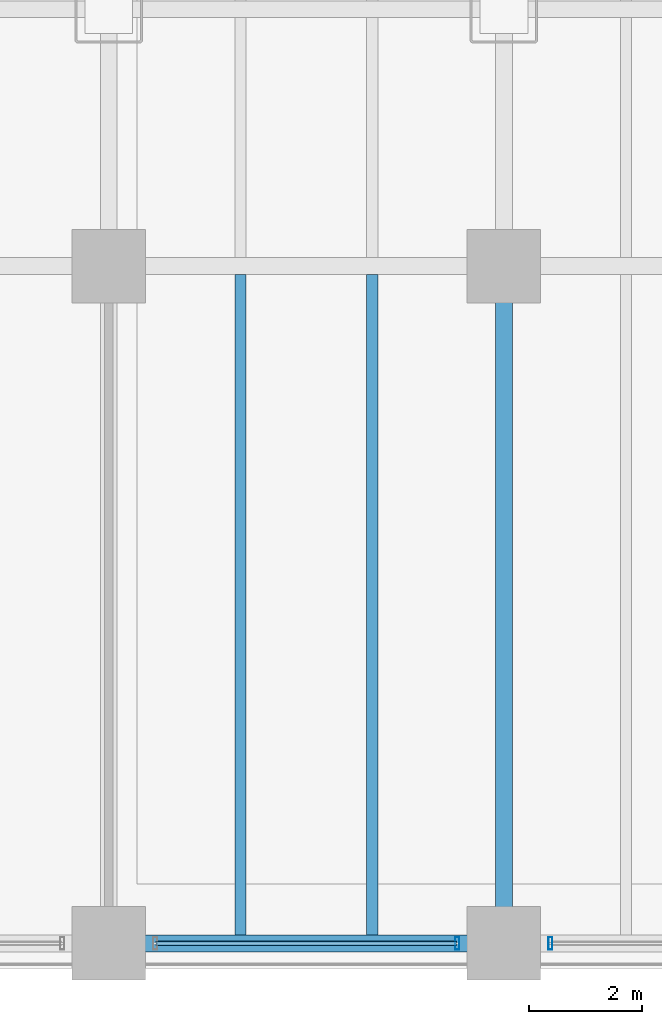
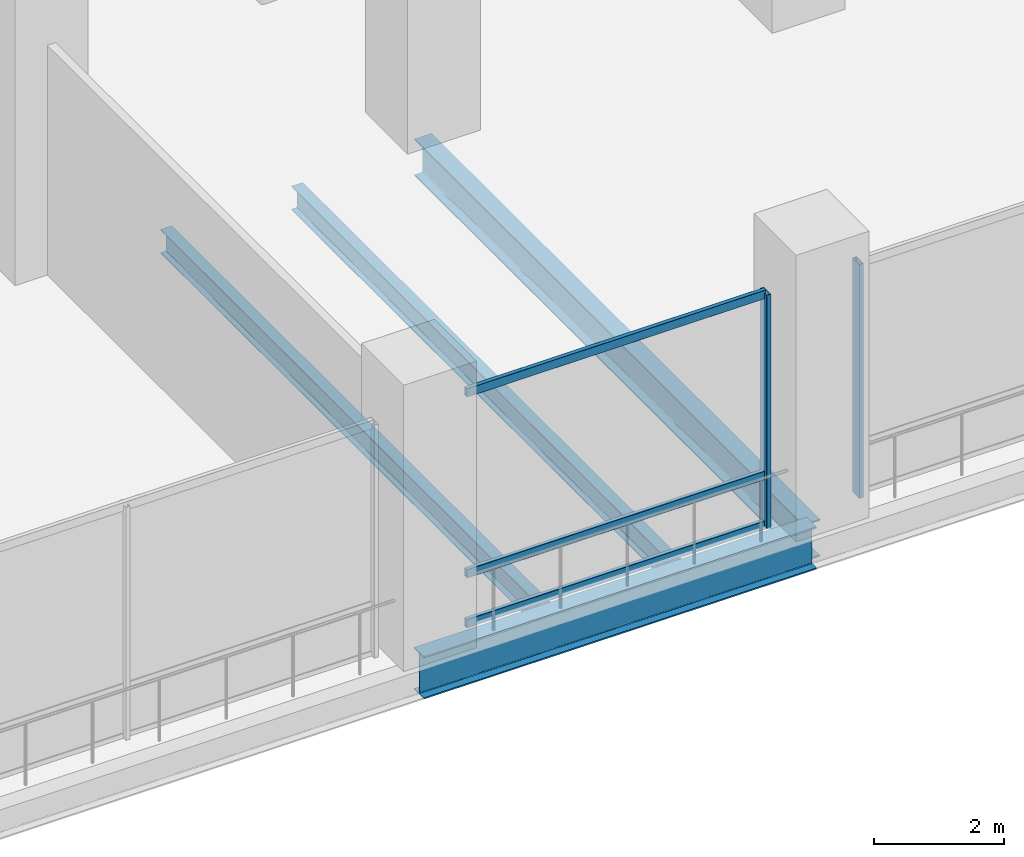
# One storey, part 7 of 31: 5 members, 4 beams, 2 elements without a shape of their own.
"""IFC4 building model written with IfcOpenShell, lengths in metres."""

from ifc_helpers import new_model, si_unit, direction, frame, origin, origin_2d, place, context, subcontext, project, spatial, hollow_rectangle, i_section, extrude, material, material_profile, profile_set, type_object, element, aggregate, save


model = new_model("IFC4")

# Units and contexts
model_context = context("Model", 3, precision=1e-05, world=origin(), true_north=direction((0.0, 1.0)))
body_context = subcontext(model_context, "Body", "Model", "MODEL_VIEW")
ifc_project = project(units=[si_unit("LENGTHUNIT", "METRE"), si_unit("AREAUNIT", "SQUARE_METRE"), si_unit("VOLUMEUNIT", "CUBIC_METRE"), si_unit("PLANEANGLEUNIT", "RADIAN"), si_unit("MASSUNIT", "GRAM", prefix="KILO")], contexts=[model_context])

# Site, building, storey
site_placement = place(None, origin())
site = spatial("IfcSite", under=ifc_project, at=site_placement, CompositionType="ELEMENT")
building_placement = place(site_placement, origin())
building = spatial("IfcBuilding", under=site, at=building_placement, Name="Noeulbin Bourse Tower", CompositionType="ELEMENT")
storey_placement = place(building_placement, frame((0.0, 0.0, 11.199951171875)))
storey = spatial("IfcBuildingStorey", under=building, at=storey_placement, Name="L03", CompositionType="ELEMENT", Elevation=11.199951171875)

# Beams
ifc_material_1 = material(Name="Steel S355", Category="steel")
ifc_material_profile_1 = material_profile(ifc_material_1, i_section(OverallWidth=0.300048828125, OverallDepth=0.699951171875, WebThickness=0.012939453125, FlangeThickness=0.02392578125, FilletRadius=0.02392578125, at=origin_2d()), Name="H-700x300x13x24", Category="LoadBearing")
ifc_profile_set_1 = profile_set([ifc_material_profile_1], Name="Steel S355")
beam_type_1 = type_object("IfcBeamType", Name="BM-GRD-700", PredefinedType="USERDEFINED", material=ifc_profile_set_1)
beam_1_placement = place(storey_placement, frame((31.0, 3.449951171875, -0.599853515625), z_axis=(0.0, 1.0, 0.0), x_axis=(-1.0, 0.0, 0.0)))
element("IfcBeam", 1, at=beam_1_placement, inside=storey, type_object=beam_type_1, Name="Podium Primary Girder NS L03-080", ObjectType="GIRDER", PredefinedType="USERDEFINED", context=body_context, shape_type="SweptSolid", body=[
    extrude(i_section(OverallWidth=0.300048828125, OverallDepth=0.699951171875, WebThickness=0.012939453125, FlangeThickness=0.02392578125, FilletRadius=0.02392578125, at=origin_2d()), origin(), (0.0, 0.0, 1.0), 12.0),
])
ifc_material_profile_2 = material_profile(ifc_material_1, i_section(OverallWidth=0.300048828125, OverallDepth=0.800048828125, WebThickness=0.013916015625, FlangeThickness=0.02587890625, FilletRadius=0.02587890625, at=origin_2d()), Name="H-800x300x14x26", Category="LoadBearing")
ifc_profile_set_2 = profile_set([ifc_material_profile_2], Name="Steel S355")
beam_type_2 = type_object("IfcBeamType", Name="BM-GRD-800", PredefinedType="USERDEFINED", material=ifc_profile_set_2)
beam_2_placement = place(storey_placement, frame((24.0, 3.449951171875, -0.64990234375), z_axis=(1.0, 0.0, 0.0), x_axis=(0.0, 1.0, 0.0)))
element("IfcBeam", 2, at=beam_2_placement, inside=storey, type_object=beam_type_2, Name="Podium Primary Girder EW L03-004", ObjectType="GIRDER", PredefinedType="USERDEFINED", context=body_context, shape_type="SweptSolid", body=[
    extrude(i_section(OverallWidth=0.300048828125, OverallDepth=0.800048828125, WebThickness=0.013916015625, FlangeThickness=0.02587890625, FilletRadius=0.02587890625, at=origin_2d()), origin(), (0.0, 0.0, 1.0), 7.0),
])
ifc_material_profile_3 = material_profile(ifc_material_1, i_section(OverallWidth=0.199951171875, OverallDepth=0.449951171875, WebThickness=0.009033203125, FlangeThickness=0.013916015625, FilletRadius=0.01806640625, at=origin_2d()), Name="H-450x200x9x14", Category="LoadBearing")
ifc_profile_set_3 = profile_set([ifc_material_profile_3], Name="Steel S355")
beam_type_3 = type_object("IfcBeamType", Name="BM-SEC-450", PredefinedType="BEAM", material=ifc_profile_set_3)
for number, where, z_axis, x_axis, name in (
    (3, (26.333251953125, 3.60009765625, -0.474853515625), (0.0, 1.0, 0.0), (-1.0, 0.0, 0.0), "Podium Secondary Beam L03-043"),
    (4, (28.666748046875, 3.60009765625, -0.474853515625), (0.0, 1.0, 0.0), (-1.0, 0.0, 0.0), "Podium Secondary Beam L03-048"),
):
    element("IfcBeam", number, at=place(storey_placement, frame(where, z_axis=z_axis, x_axis=x_axis)), inside=storey, type_object=beam_type_3, Name=name, PredefinedType="BEAM", context=body_context, shape_type="SweptSolid", body=[
        extrude(i_section(OverallWidth=0.199951171875, OverallDepth=0.449951171875, WebThickness=0.009033203125, FlangeThickness=0.013916015625, FilletRadius=0.01806640625, at=origin_2d()), origin(), (0.0, 0.0, 1.0), 11.699951171875),
    ])

# Curtain wall, member
ifc_material_2 = material(Name="Laminated Clear Low-E Glass", Category="glass")
curtain_wall_type = type_object("IfcCurtainWallType", Name="CW-SYS-1", PredefinedType="NOTDEFINED", material=ifc_material_2)
curtain_wall_1_placement = place(storey_placement, origin())
curtain_wall_1 = element("IfcCurtainWall", 5, at=curtain_wall_1_placement, inside=storey, type_object=curtain_wall_type, Name="Unitised Curtain Wall CW-L03-POD-S-S3", PredefinedType="NOTDEFINED")
ifc_material_3 = material(Name="Anodised Aluminium 6063-T6", Category="aluminium")
ifc_material_profile_4 = material_profile(ifc_material_3, hollow_rectangle(XDim=0.074951171875, YDim=0.219970703125, WallThickness=0.0048828125, InnerFilletRadius=0.00244140625, OuterFilletRadius=0.0048828125, at=origin_2d()), Name="ALU-MULL-75x220x5", Category="LoadBearing")
ifc_profile_set_4 = profile_set([ifc_material_profile_4], Name="Anodised Aluminium 6063-T6")
member_type_1 = type_object("IfcMemberType", Name="CW-SYS-1-MUL", PredefinedType="MULLION", material=ifc_profile_set_4)
member_1_placement = place(storey_placement, frame((30.175048828125, 3.449951171875, -0.02001953125), z_axis=(0.0, 0.0, 1.0), x_axis=(1.0, 0.0, 0.0)))
member_1 = element("IfcMember", 6, at=member_1_placement, type_object=member_type_1, Name="Curtain Wall Mullion CW-L03-POD-S-S3-M01", PredefinedType="MULLION", context=body_context, shape_type="SweptSolid", body=[
    extrude(hollow_rectangle(XDim=0.074951171875, YDim=0.219970703125, WallThickness=0.0048828125, InnerFilletRadius=0.00244140625, OuterFilletRadius=0.0048828125, at=origin_2d()), origin(), (0.0, 0.0, 1.0), 4.41015625),
])

curtain_wall_2_placement = place(storey_placement, origin())
curtain_wall_2 = element("IfcCurtainWall", 7, at=curtain_wall_2_placement, inside=storey, type_object=curtain_wall_type, Name="Unitised Curtain Wall CW-L03-POD-S-S4", PredefinedType="NOTDEFINED")
member_2_placement = place(storey_placement, frame((31.824951171875, 3.449951171875, -0.02001953125), z_axis=(0.0, 0.0, 1.0), x_axis=(1.0, 0.0, 0.0)))
member_2 = element("IfcMember", 8, at=member_2_placement, type_object=member_type_1, Name="Curtain Wall Mullion CW-L03-POD-S-S4-M00", PredefinedType="MULLION", context=body_context, shape_type="SweptSolid", body=[
    extrude(hollow_rectangle(XDim=0.074951171875, YDim=0.219970703125, WallThickness=0.0048828125, InnerFilletRadius=0.00244140625, OuterFilletRadius=0.0048828125, at=origin_2d()), origin(), (0.0, 0.0, 1.0), 4.41015625),
])
aggregate(curtain_wall_2, [member_2])

# Member
ifc_material_profile_5 = material_profile(ifc_material_3, hollow_rectangle(XDim=0.074951171875, YDim=0.159912109375, WallThickness=0.0048828125, InnerFilletRadius=0.00244140625, OuterFilletRadius=0.0048828125, at=origin_2d()), Name="ALU-TRAN-75x160x5", Category="LoadBearing")
ifc_profile_set_5 = profile_set([ifc_material_profile_5], Name="Anodised Aluminium 6063-T6")
member_type_2 = type_object("IfcMemberType", Name="CW-SYS-1-TRN", PredefinedType="USERDEFINED", material=ifc_profile_set_5)
member_3_placement = place(storey_placement, frame((24.8349609375, 3.449951171875, 0.010009765625), z_axis=(1.0, 0.0, 0.0), x_axis=(0.0, 1.0, 0.0)))
member_3 = element("IfcMember", 9, at=member_3_placement, type_object=member_type_2, Name="Curtain Wall Transom CW-L03-POD-S-S3-T00", ObjectType="TRANSOM", PredefinedType="USERDEFINED", context=body_context, shape_type="SweptSolid", body=[
    extrude(hollow_rectangle(XDim=0.074951171875, YDim=0.159912109375, WallThickness=0.0048828125, InnerFilletRadius=0.00244140625, OuterFilletRadius=0.0048828125, at=origin_2d()), origin(), (0.0, 0.0, 1.0), 5.330078125),
])

member_4_placement = place(storey_placement, frame((24.8349609375, 3.449951171875, 0.949951171875), z_axis=(1.0, 0.0, 0.0), x_axis=(0.0, 1.0, 0.0)))
member_4 = element("IfcMember", 10, at=member_4_placement, type_object=member_type_2, Name="Curtain Wall Transom CW-L03-POD-S-S3-T01", ObjectType="TRANSOM", PredefinedType="USERDEFINED", context=body_context, shape_type="SweptSolid", body=[
    extrude(hollow_rectangle(XDim=0.074951171875, YDim=0.159912109375, WallThickness=0.0048828125, InnerFilletRadius=0.00244140625, OuterFilletRadius=0.0048828125, at=origin_2d()), origin(), (0.0, 0.0, 1.0), 5.330078125),
])

member_5_placement = place(storey_placement, frame((24.8349609375, 3.449951171875, 4.360107421875), z_axis=(1.0, 0.0, 0.0), x_axis=(0.0, 1.0, 0.0)))
member_5 = element("IfcMember", 11, at=member_5_placement, type_object=member_type_2, Name="Curtain Wall Transom CW-L03-POD-S-S3-T02", ObjectType="TRANSOM", PredefinedType="USERDEFINED", context=body_context, shape_type="SweptSolid", body=[
    extrude(hollow_rectangle(XDim=0.074951171875, YDim=0.159912109375, WallThickness=0.0048828125, InnerFilletRadius=0.00244140625, OuterFilletRadius=0.0048828125, at=origin_2d()), origin(), (0.0, 0.0, 1.0), 5.330078125),
])

aggregate(curtain_wall_1, [member_1, member_3, member_4, member_5])

save(model, "model.ifc")
